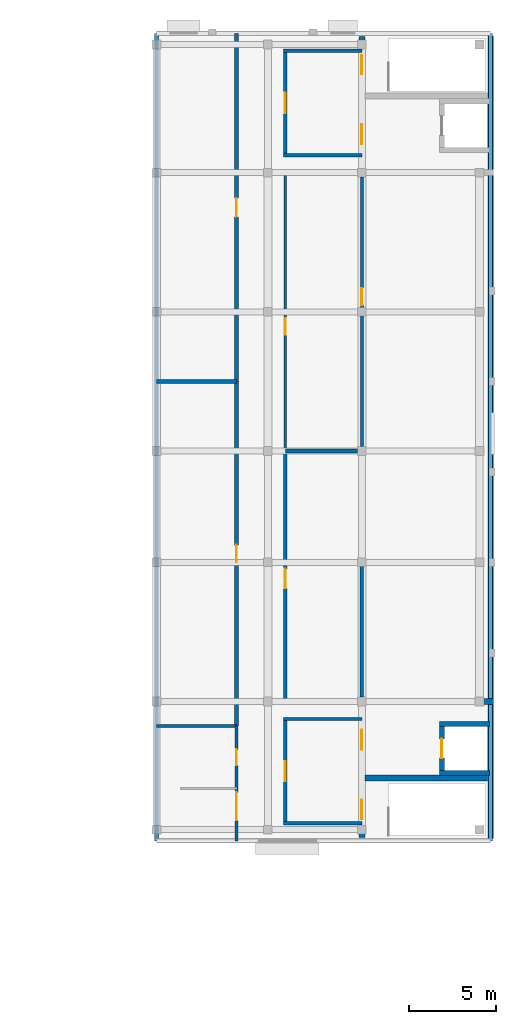
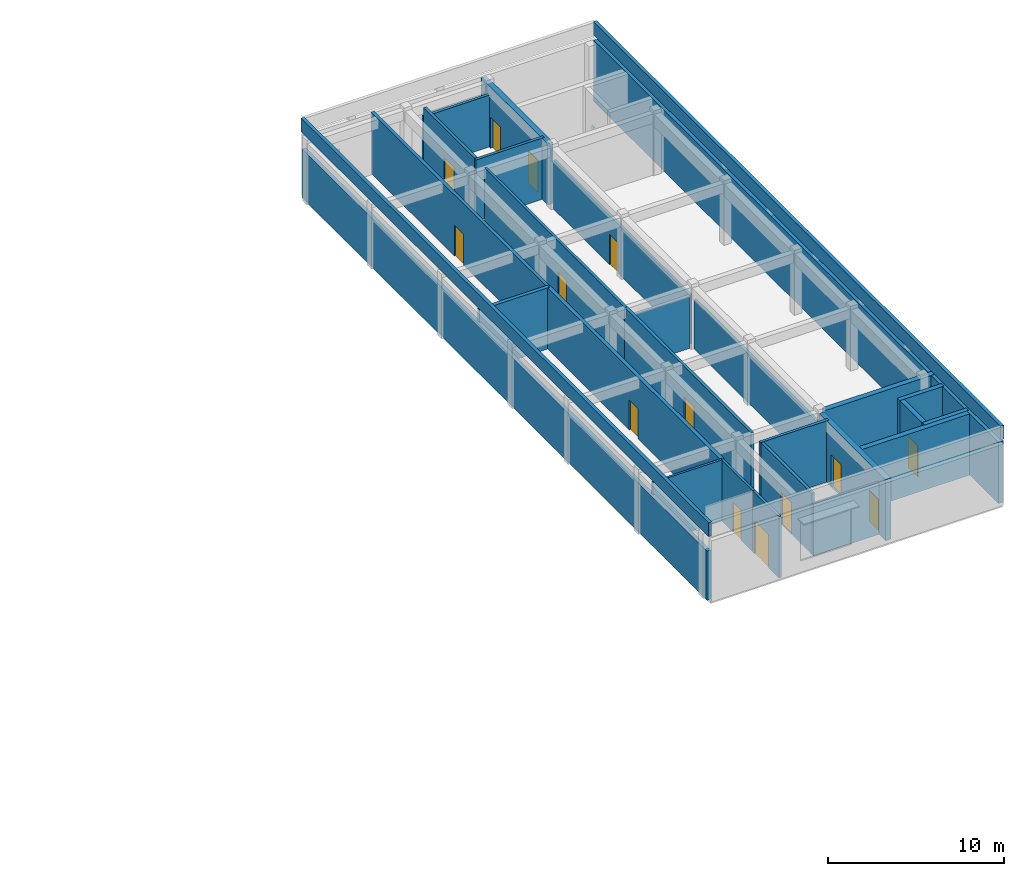
# One storey, part 3 of 5: 28 walls, 14 doors, 14 openings.
"""IFC4 building model written with IfcOpenShell, lengths in metres."""

from ifc_helpers import new_model, si_unit, direction, frame, frame_2d, origin, place, context, subcontext, project, spatial, rectangle, extrude, material, layer, layer_set, type_object, element, fill, save


model = new_model("IFC4")

# Units and contexts
model_context = context("Model", 3, precision=1e-05, world=origin(), true_north=direction((0.0, 1.0)))
body_context = subcontext(model_context, "Body", "Model", "MODEL_VIEW")
ifc_project = project(units=[si_unit("LENGTHUNIT", "METRE"), si_unit("AREAUNIT", "SQUARE_METRE"), si_unit("VOLUMEUNIT", "CUBIC_METRE"), si_unit("PLANEANGLEUNIT", "RADIAN"), si_unit("MASSUNIT", "GRAM", prefix="KILO")], contexts=[model_context])

# Site, building, storey
site_placement = place(None, origin())
site = spatial("IfcSite", under=ifc_project, at=site_placement, CompositionType="ELEMENT")
building_placement = place(site_placement, origin())
building = spatial("IfcBuilding", under=site, at=building_placement, Name="Cinchona Park Media Centre", CompositionType="ELEMENT")
storey_placement = place(building_placement, frame((0.0, 0.0, 29.39990234375)))
storey = spatial("IfcBuildingStorey", under=building, at=storey_placement, Name="L06", CompositionType="ELEMENT", Elevation=29.39990234375)

# Wall, opening, door
ifc_material_1 = material(Name="Acoustic Double-Stud Gypsum Partition", Category="gypsum")
ifc_layer_1 = layer(ifc_material_1, 0.2099609375)
ifc_layer_set_1 = layer_set([ifc_layer_1], Name="Acoustic Double-Stud Gypsum Partition")
wall_type_1 = type_object("IfcWallType", Name="WALL-W-AC210", PredefinedType="PARTITIONING", material=ifc_layer_set_1)
wall_1_placement = place(storey_placement, frame((157.39990234375, 98.0, 0.0), z_axis=(0.0, 0.0, 1.0), x_axis=(0.0, 1.0, 0.0)))
wall_1 = element("IfcWall", 1, at=wall_1_placement, inside=storey, type_object=wall_type_1, Name="Interior Wall W-AC210 L06", PredefinedType="PARTITIONING", context=body_context, shape_type="SweptSolid", body=[
    extrude(rectangle(XDim=20.0, YDim=0.2099609375, at=frame_2d((10.0, 0.0))), origin(), (0.0, 0.0, 1.0), 4.255126953125),
])
opening_1_placement = place(wall_1_placement, frame((9.4599609375, 0.0, 0.0)))
opening_1 = element("IfcOpeningElement", 2, at=opening_1_placement, cuts=wall_1, Name="Opening D368", PredefinedType="OPENING", context=body_context, shape_type="SweptSolid", body=[
    extrude(rectangle(XDim=1.080078125, YDim=2.14990234375, at=frame_2d((0.5400390625, 1.074951171875))), frame((0.0, 0.114990234375, 0.0), z_axis=(0.0, -1.0, 0.0), x_axis=(1.0, 0.0, 0.0)), (0.0, 0.0, 1.0), 0.22998046875),
])
ifc_material_2 = material(Name="Fire-Rated Acoustic Timber-Steel Door", Category="steel")
door_type_1 = type_object("IfcDoorType", Name="DOOR-DT07", OperationType="NOTDEFINED", PredefinedType="DOOR", material=ifc_material_2)
door_1_placement = place(opening_1_placement, origin())
door_1 = element("IfcDoor", 3, at=door_1_placement, inside=storey, type_object=door_type_1, Name="Interior Door D368", OperationType="SINGLE_SWING_RIGHT", OverallHeight=2.14990234375, OverallWidth=1.080078125, PredefinedType="DOOR", context=body_context, shape_type="SweptSolid", body=[
    extrude(rectangle(XDim=1.080078125, YDim=2.14990234375, at=frame_2d((0.5400390625, 1.074951171875))), frame((0.0, 0.02490234375, 0.0), z_axis=(0.0, -1.0, 0.0), x_axis=(1.0, 0.0, 0.0)), (0.0, 0.0, 1.0), 0.050048828125),
])
fill(opening_1, door_1)

# Wall
wall_2_placement = place(storey_placement, frame((160.199951171875, 94.0, 0.0), z_axis=(0.0, 0.0, 1.0), x_axis=(1.0, 0.0, 0.0)))
element("IfcWall", 4, at=wall_2_placement, inside=storey, type_object=wall_type_1, Name="Interior Wall W-AC210 L06", PredefinedType="PARTITIONING", context=body_context, shape_type="SweptSolid", body=[
    extrude(rectangle(XDim=4.14794921875, YDim=0.2099609375, at=frame_2d((2.073974609375, 0.0))), origin(), (0.0, 0.0, 1.0), 3.60498046875),
])

# Wall, opening, door
ifc_material_3 = material(Name="Acoustic Double-Stud Gypsum Partition", Category="gypsum")
ifc_layer_2 = layer(ifc_material_3, 0.239990234375)
ifc_layer_set_2 = layer_set([ifc_layer_2], Name="Acoustic Double-Stud Gypsum Partition")
wall_type_2 = type_object("IfcWallType", Name="WALL-W-AC240", PredefinedType="PARTITIONING", material=ifc_layer_set_2)
wall_3_placement = place(storey_placement, frame((157.39990234375, 78.199951171875, 0.0), z_axis=(0.0, 0.0, 1.0), x_axis=(0.0, 1.0, 0.0)))
wall_3 = element("IfcWall", 5, at=wall_3_placement, inside=storey, type_object=wall_type_2, Name="Interior Wall W-AC240 L06", PredefinedType="PARTITIONING", context=body_context, shape_type="SweptSolid", body=[
    extrude(rectangle(XDim=19.800048828125, YDim=0.239990234375, at=frame_2d((9.89990234375, 0.0))), origin(), (0.0, 0.0, 1.0), 4.255126953125),
])
opening_2_placement = place(wall_3_placement, frame((9.39990234375, 0.0, 0.0)))
opening_2 = element("IfcOpeningElement", 6, at=opening_2_placement, cuts=wall_3, Name="Opening D367", PredefinedType="OPENING", context=body_context, shape_type="SweptSolid", body=[
    extrude(rectangle(XDim=1.0, YDim=2.10009765625, at=frame_2d((0.5, 1.050048828125))), frame((0.0, 0.1298828125, 0.0), z_axis=(0.0, -1.0, 0.0), x_axis=(1.0, 0.0, 0.0)), (0.0, 0.0, 1.0), 0.260009765625),
])
ifc_material_4 = material(Name="Fire-Rated Acoustic Timber-Steel Door", Category="steel")
door_type_2 = type_object("IfcDoorType", Name="DOOR-DT04", OperationType="NOTDEFINED", PredefinedType="DOOR", material=ifc_material_4)
door_2_placement = place(opening_2_placement, origin())
door_2 = element("IfcDoor", 7, at=door_2_placement, inside=storey, type_object=door_type_2, Name="Interior Door D367", OperationType="SINGLE_SWING_LEFT", OverallHeight=2.10009765625, OverallWidth=1.0, PredefinedType="DOOR", context=body_context, shape_type="SweptSolid", body=[
    extrude(rectangle(XDim=1.0, YDim=2.10009765625, at=frame_2d((0.5, 1.050048828125))), frame((0.0, 0.02490234375, 0.0), z_axis=(0.0, -1.0, 0.0), x_axis=(1.0, 0.0, 0.0)), (0.0, 0.0, 1.0), 0.050048828125),
])
fill(opening_2, door_2)

# Walls
wall_4_placement = place(storey_placement, frame((152.800048828125, 98.0, 0.0), z_axis=(0.0, 0.0, 1.0), x_axis=(1.0, 0.0, 0.0)))
element("IfcWall", 8, at=wall_4_placement, inside=storey, type_object=wall_type_2, Name="Interior Wall W-AC240 L06", PredefinedType="PARTITIONING", context=body_context, shape_type="SweptSolid", body=[
    extrude(rectangle(XDim=4.599853515625, YDim=0.239990234375, at=frame_2d((2.2998046875, 0.0))), origin(), (0.0, 0.0, 1.0), 4.255126953125),
])
ifc_material_5 = material(Name="Concrete C40/50", Category="concrete")
ifc_layer_3 = layer(ifc_material_5, 0.35009765625)
ifc_layer_set_3 = layer_set([ifc_layer_3], Name="Concrete C40/50")
wall_type_3 = type_object("IfcWallType", Name="WALL-W-CR350", PredefinedType="SHEAR", material=ifc_layer_set_3)
wall_5_placement = place(storey_placement, frame((164.85205078125, 79.60009765625, 0.0), z_axis=(0.0, 0.0, 1.0), x_axis=(1.0, 0.0, 0.0)))
element("IfcWall", 9, at=wall_5_placement, inside=storey, type_object=wall_type_3, Name="Core Shear Wall W-CR350 L06", PredefinedType="SHEAR", context=body_context, shape_type="SweptSolid", body=[
    extrude(rectangle(XDim=7.322998046875, YDim=0.35009765625, at=frame_2d((3.66162109375, 0.0))), origin(), (0.0, 0.0, 1.0), 4.255126953125),
])

# Wall, openings, doors
wall_6_placement = place(storey_placement, frame((164.60009765625, 71.77490234375, 0.0), z_axis=(0.0, 0.0, 1.0), x_axis=(0.0, 1.0, 0.0)))
wall_6 = element("IfcWall", 10, at=wall_6_placement, inside=storey, type_object=wall_type_3, Name="Core Shear Wall W-CR350 L06", PredefinedType="SHEAR", context=body_context, shape_type="SweptSolid", body=[
    extrude(rectangle(XDim=7.572998046875, YDim=0.35009765625, at=frame_2d((3.78662109375, 0.0))), origin(), (0.0, 0.0, 1.0), 4.255126953125),
])
opening_3_placement = place(wall_6_placement, frame((1.074951171875, 0.0, 0.0)))
opening_3 = element("IfcOpeningElement", 11, at=opening_3_placement, cuts=wall_6, Name="Opening D124", PredefinedType="OPENING", context=body_context, shape_type="SweptSolid", body=[
    extrude(rectangle(XDim=1.10009765625, YDim=2.14990234375, at=frame_2d((0.550048828125, 1.074951171875))), frame((0.0, 0.18505859375, 0.0), z_axis=(0.0, -1.0, 0.0), x_axis=(1.0, 0.0, 0.0)), (0.0, 0.0, 1.0), 0.3701171875),
])
opening_4_placement = place(wall_6_placement, frame((5.050048828125, 0.0, 0.0)))
opening_4 = element("IfcOpeningElement", 12, at=opening_4_placement, cuts=wall_6, Name="Opening D125", PredefinedType="OPENING", context=body_context, shape_type="SweptSolid", body=[
    extrude(rectangle(XDim=1.14990234375, YDim=2.199951171875, at=frame_2d((0.574951171875, 1.10009765625))), frame((0.0, 0.18505859375, 0.0), z_axis=(0.0, -1.0, 0.0), x_axis=(1.0, 0.0, 0.0)), (0.0, 0.0, 1.0), 0.3701171875),
])
ifc_material_6 = material(Name="Insulated Fire-Rated Steel Door", Category="steel")
door_type_3 = type_object("IfcDoorType", Name="DOOR-DT-FF", OperationType="NOTDEFINED", PredefinedType="DOOR", material=ifc_material_6)
door_3_placement = place(opening_4_placement, origin())
door_3 = element("IfcDoor", 13, at=door_3_placement, inside=storey, type_object=door_type_3, Name="Interior Door D125", OperationType="SINGLE_SWING_LEFT", OverallHeight=2.199951171875, OverallWidth=1.14990234375, PredefinedType="DOOR", context=body_context, shape_type="SweptSolid", body=[
    extrude(rectangle(XDim=1.14990234375, YDim=2.199951171875, at=frame_2d((0.574951171875, 1.10009765625))), frame((0.0, 0.02490234375, 0.0), z_axis=(0.0, -1.0, 0.0), x_axis=(1.0, 0.0, 0.0)), (0.0, 0.0, 1.0), 0.050048828125),
])
fill(opening_4, door_3)
ifc_material_7 = material(Name="Insulated Fire-Rated Steel Door", Category="steel")
door_type_4 = type_object("IfcDoorType", Name="DOOR-DT-ST", OperationType="NOTDEFINED", PredefinedType="DOOR", material=ifc_material_7)
door_4_placement = place(opening_3_placement, origin())
door_4 = element("IfcDoor", 14, at=door_4_placement, inside=storey, type_object=door_type_4, Name="Interior Door D124", OperationType="SINGLE_SWING_RIGHT", OverallHeight=2.14990234375, OverallWidth=1.10009765625, PredefinedType="DOOR", context=body_context, shape_type="SweptSolid", body=[
    extrude(rectangle(XDim=1.10009765625, YDim=2.14990234375, at=frame_2d((0.550048828125, 1.074951171875))), frame((0.0, 0.02490234375, 0.0), z_axis=(0.0, -1.0, 0.0), x_axis=(1.0, 0.0, 0.0)), (0.0, 0.0, 1.0), 0.050048828125),
])
fill(opening_3, door_4)

# Wall
wall_7_placement = place(storey_placement, frame((164.77490234375, 75.199951171875, 0.0), z_axis=(0.0, 0.0, 1.0), x_axis=(1.0, 0.0, 0.0)))
element("IfcWall", 15, at=wall_7_placement, inside=storey, type_object=wall_type_3, Name="Core Shear Wall W-CR350 L06", PredefinedType="SHEAR", context=body_context, shape_type="SweptSolid", body=[
    extrude(rectangle(XDim=7.050048828125, YDim=0.35009765625, at=frame_2d((3.52490234375, 0.0))), origin(), (0.0, 0.0, 1.0), 4.255126953125),
])

# Wall, openings, doors
wall_8_placement = place(storey_placement, frame((164.60009765625, 110.251953125, 0.0), z_axis=(0.0, 0.0, 1.0), x_axis=(0.0, 1.0, 0.0)))
wall_8 = element("IfcWall", 16, at=wall_8_placement, inside=storey, type_object=wall_type_3, Name="Core Shear Wall W-CR350 L06", PredefinedType="SHEAR", context=body_context, shape_type="SweptSolid", body=[
    extrude(rectangle(XDim=7.572998046875, YDim=0.35009765625, at=frame_2d((3.78662109375, 0.0))), origin(), (0.0, 0.0, 1.0), 4.255126953125),
])
opening_5_placement = place(wall_8_placement, frame((5.39794921875, 0.0, 0.0)))
opening_5 = element("IfcOpeningElement", 17, at=opening_5_placement, cuts=wall_8, Name="Opening D127", PredefinedType="OPENING", context=body_context, shape_type="SweptSolid", body=[
    extrude(rectangle(XDim=1.10009765625, YDim=2.14990234375, at=frame_2d((0.550048828125, 1.074951171875))), frame((0.0, 0.18505859375, 0.0), z_axis=(0.0, -1.0, 0.0), x_axis=(1.0, 0.0, 0.0)), (0.0, 0.0, 1.0), 0.3701171875),
])
opening_6_placement = place(wall_8_placement, frame((1.373046875, 0.0, 0.0)))
opening_6 = element("IfcOpeningElement", 18, at=opening_6_placement, cuts=wall_8, Name="Opening D128", PredefinedType="OPENING", context=body_context, shape_type="SweptSolid", body=[
    extrude(rectangle(XDim=1.14990234375, YDim=2.199951171875, at=frame_2d((0.574951171875, 1.10009765625))), frame((0.0, 0.18505859375, 0.0), z_axis=(0.0, -1.0, 0.0), x_axis=(1.0, 0.0, 0.0)), (0.0, 0.0, 1.0), 0.3701171875),
])
door_5_placement = place(opening_6_placement, origin())
door_5 = element("IfcDoor", 19, at=door_5_placement, inside=storey, type_object=door_type_3, Name="Interior Door D128", OperationType="SINGLE_SWING_RIGHT", OverallHeight=2.199951171875, OverallWidth=1.14990234375, PredefinedType="DOOR", context=body_context, shape_type="SweptSolid", body=[
    extrude(rectangle(XDim=1.14990234375, YDim=2.199951171875, at=frame_2d((0.574951171875, 1.10009765625))), frame((0.0, 0.02490234375, 0.0), z_axis=(0.0, -1.0, 0.0), x_axis=(1.0, 0.0, 0.0)), (0.0, 0.0, 1.0), 0.050048828125),
])
fill(opening_6, door_5)
door_6_placement = place(opening_5_placement, origin())
door_6 = element("IfcDoor", 20, at=door_6_placement, inside=storey, type_object=door_type_4, Name="Interior Door D127", OperationType="SINGLE_SWING_LEFT", OverallHeight=2.14990234375, OverallWidth=1.10009765625, PredefinedType="DOOR", context=body_context, shape_type="SweptSolid", body=[
    extrude(rectangle(XDim=1.10009765625, YDim=2.14990234375, at=frame_2d((0.550048828125, 1.074951171875))), frame((0.0, 0.02490234375, 0.0), z_axis=(0.0, -1.0, 0.0), x_axis=(1.0, 0.0, 0.0)), (0.0, 0.0, 1.0), 0.050048828125),
])
fill(opening_5, door_6)

# Walls
ifc_material_8 = material(Name="Precast concrete C40/50", Category="concrete")
ifc_layer_4 = layer(ifc_material_8, 0.320068359375)
ifc_layer_set_4 = layer_set([ifc_layer_4], Name="Precast concrete C40/50")
wall_type_4 = type_object("IfcWallType", Name="WALL-W-EX02", PredefinedType="SOLIDWALL", material=ifc_layer_set_4)
wall_9_placement = place(storey_placement, frame((172.0, 117.860107421875, 0.0), z_axis=(0.0, 0.0, 1.0), x_axis=(0.0, -1.0, 0.0)))
element("IfcWall", 21, at=wall_9_placement, inside=storey, type_object=wall_type_4, Name="Exterior Wall W-EX02 V7 L06", PredefinedType="SOLIDWALL", context=body_context, shape_type="SweptSolid", body=[
    extrude(rectangle(XDim=46.1201171875, YDim=0.320068359375, at=frame_2d((23.06005859375, 0.0))), origin(), (0.0, 0.0, 1.0), 4.255126953125),
])
ifc_material_9 = material(Name="Precast concrete C40/50", Category="concrete")
ifc_layer_5 = layer(ifc_material_9, 0.25)
ifc_layer_set_5 = layer_set([ifc_layer_5], Name="Precast concrete C40/50")
wall_type_5 = type_object("IfcWallType", Name="WALL-W-EX04", PredefinedType="SOLIDWALL", material=ifc_layer_set_5)
wall_10_placement = place(storey_placement, frame((152.800048828125, 71.739990234375, 0.0), z_axis=(0.0, 0.0, 1.0), x_axis=(0.0, 1.0, 0.0)))
element("IfcWall", 22, at=wall_10_placement, inside=storey, type_object=wall_type_5, Name="Exterior Wall W-EX04 V7 L06", PredefinedType="SOLIDWALL", context=body_context, shape_type="SweptSolid", body=[
    extrude(rectangle(XDim=46.1201171875, YDim=0.25, at=frame_2d((23.06005859375, 0.0))), origin(), (0.0, 0.0, 1.0), 3.405029296875),
])
ifc_material_10 = material(Name="Precast concrete C40/50", Category="concrete")
ifc_layer_6 = layer(ifc_material_10, 0.219970703125)
ifc_layer_set_6 = layer_set([ifc_layer_6], Name="Precast concrete C40/50")
wall_type_6 = type_object("IfcWallType", Name="WALL-W-PR01", PredefinedType="PARAPET", material=ifc_layer_set_6)
for number, where, z_axis, x_axis, name in (
    (23, (172.0, 118.0, 4.5), (0.0, 0.0, 1.0), (0.0, -1.0, 0.0), "Roof Parapet Wall W-PR01 L06"),
    (24, (152.800048828125, 71.60009765625, 4.5), (0.0, 0.0, 1.0), (0.0, 1.0, 0.0), "Roof Parapet Wall W-PR01 L06"),
):
    element("IfcWall", number, at=place(storey_placement, frame(where, z_axis=z_axis, x_axis=x_axis)), inside=storey, type_object=wall_type_6, Name=name, PredefinedType="PARAPET", context=body_context, shape_type="SweptSolid", body=[
        extrude(rectangle(XDim=46.39990234375, YDim=0.219970703125, at=frame_2d((23.199951171875, 0.0))), origin(), (0.0, 0.0, 1.0), 0.9501953125),
    ])

# Wall, opening, door
ifc_material_11 = material(Name="Fire-Rated Gypsum Stud Partition", Category="gypsum")
ifc_layer_7 = layer(ifc_material_11, 0.14990234375)
ifc_layer_set_7 = layer_set([ifc_layer_7], Name="Fire-Rated Gypsum Stud Partition")
wall_type_7 = type_object("IfcWallType", Name="WALL-W-PT150", PredefinedType="PARTITIONING", material=ifc_layer_set_7)
wall_11_placement = place(storey_placement, frame((157.39990234375, 74.60009765625, 0.0), z_axis=(0.0, 0.0, 1.0), x_axis=(0.0, 1.0, 0.0)))
wall_11 = element("IfcWall", 25, at=wall_11_placement, inside=storey, type_object=wall_type_7, Name="Interior Wall W-PT150 L06", PredefinedType="PARTITIONING", context=body_context, shape_type="SweptSolid", body=[
    extrude(rectangle(XDim=3.599853515625, YDim=0.14990234375, at=frame_2d((1.7998046875, 0.0))), origin(), (0.0, 0.0, 1.0), 4.255126953125),
])
opening_7_placement = place(wall_11_placement, frame((1.340087890625, 0.0, 0.0)))
opening_7 = element("IfcOpeningElement", 26, at=opening_7_placement, cuts=wall_11, Name="Opening D366", PredefinedType="OPENING", context=body_context, shape_type="SweptSolid", body=[
    extrude(rectangle(XDim=0.919921875, YDim=2.10009765625, at=frame_2d((0.4599609375, 1.050048828125))), frame((0.0, 0.0849609375, 0.0), z_axis=(0.0, -1.0, 0.0), x_axis=(1.0, 0.0, 0.0)), (0.0, 0.0, 1.0), 0.169921875),
])
ifc_material_12 = material(Name="Solid-Core Timber Acoustic Door", Category="wood")
door_type_5 = type_object("IfcDoorType", Name="DOOR-DT01", OperationType="NOTDEFINED", PredefinedType="DOOR", material=ifc_material_12)
door_7_placement = place(opening_7_placement, origin())
door_7 = element("IfcDoor", 27, at=door_7_placement, inside=storey, type_object=door_type_5, Name="Interior Door D366", OperationType="SINGLE_SWING_RIGHT", OverallHeight=2.10009765625, OverallWidth=0.919921875, PredefinedType="DOOR", context=body_context, shape_type="SweptSolid", body=[
    extrude(rectangle(XDim=0.919921875, YDim=2.10009765625, at=frame_2d((0.4599609375, 1.050048828125))), frame((0.0, 0.02490234375, 0.0), z_axis=(0.0, -1.0, 0.0), x_axis=(1.0, 0.0, 0.0)), (0.0, 0.0, 1.0), 0.050048828125),
])
fill(opening_7, door_7)

# Wall
wall_12_placement = place(storey_placement, frame((152.800048828125, 78.199951171875, 0.0), z_axis=(0.0, 0.0, 1.0), x_axis=(1.0, 0.0, 0.0)))
element("IfcWall", 28, at=wall_12_placement, inside=storey, type_object=wall_type_7, Name="Interior Wall W-PT150 L06", PredefinedType="PARTITIONING", context=body_context, shape_type="SweptSolid", body=[
    extrude(rectangle(XDim=4.599853515625, YDim=0.14990234375, at=frame_2d((2.2998046875, 0.0))), origin(), (0.0, 0.0, 1.0), 4.255126953125),
])

# Wall, opening, door
ifc_material_13 = material(Name="Fire-Rated Gypsum Stud Partition", Category="gypsum")
ifc_layer_8 = layer(ifc_material_13, 0.1650390625)
ifc_layer_set_8 = layer_set([ifc_layer_8], Name="Fire-Rated Gypsum Stud Partition")
wall_type_8 = type_object("IfcWallType", Name="WALL-W-PT165", PredefinedType="PARTITIONING", material=ifc_layer_set_8)
wall_13_placement = place(storey_placement, frame((157.39990234375, 71.60009765625, 0.0), z_axis=(0.0, 0.0, 1.0), x_axis=(0.0, 1.0, 0.0)))
wall_13 = element("IfcWall", 29, at=wall_13_placement, inside=storey, type_object=wall_type_8, Name="Interior Wall W-PT165 L06", PredefinedType="PARTITIONING", context=body_context, shape_type="SweptSolid", body=[
    extrude(rectangle(XDim=3.0, YDim=0.1650390625, at=frame_2d((1.5, 0.0))), origin(), (0.0, 0.0, 1.0), 4.255126953125),
])
opening_8_placement = place(wall_13_placement, frame((1.179931640625, 0.0, 0.0)))
opening_8 = element("IfcOpeningElement", 30, at=opening_8_placement, cuts=wall_13, Name="Opening D365", PredefinedType="OPENING", context=body_context, shape_type="SweptSolid", body=[
    extrude(rectangle(XDim=1.60009765625, YDim=2.300048828125, at=frame_2d((0.800048828125, 1.14990234375))), frame((0.0, 0.092529296875, 0.0), z_axis=(0.0, -1.0, 0.0), x_axis=(1.0, 0.0, 0.0)), (0.0, 0.0, 1.0), 0.18505859375),
])
ifc_material_14 = material(Name="Solid-Core Timber Acoustic Door", Category="wood")
door_type_6 = type_object("IfcDoorType", Name="DOOR-DT17", OperationType="NOTDEFINED", PredefinedType="DOOR", material=ifc_material_14)
door_8_placement = place(opening_8_placement, origin())
door_8 = element("IfcDoor", 31, at=door_8_placement, inside=storey, type_object=door_type_6, Name="Interior Door D365", OperationType="SINGLE_SWING_LEFT", OverallHeight=2.300048828125, OverallWidth=1.60009765625, PredefinedType="DOOR", context=body_context, shape_type="SweptSolid", body=[
    extrude(rectangle(XDim=1.60009765625, YDim=2.300048828125, at=frame_2d((0.800048828125, 1.14990234375))), frame((0.0, 0.02490234375, 0.0), z_axis=(0.0, -1.0, 0.0), x_axis=(1.0, 0.0, 0.0)), (0.0, 0.0, 1.0), 0.050048828125),
])
fill(opening_8, door_8)

wall_14_placement = place(storey_placement, frame((160.199951171875, 110.0, 0.0), z_axis=(0.0, 0.0, 1.0), x_axis=(0.0, -1.0, 0.0)))
wall_14 = element("IfcWall", 32, at=wall_14_placement, inside=storey, type_object=wall_type_8, Name="Interior Wall W-PT165 L06", PredefinedType="PARTITIONING", context=body_context, shape_type="SweptSolid", body=[
    extrude(rectangle(XDim=16.0, YDim=0.1650390625, at=frame_2d((8.0, 0.0))), origin(), (0.0, 0.0, 1.0), 4.255126953125),
])
opening_9_placement = place(wall_14_placement, frame((8.3798828125, 0.0, 0.0)))
opening_9 = element("IfcOpeningElement", 33, at=opening_9_placement, cuts=wall_14, Name="Opening D370", PredefinedType="OPENING", context=body_context, shape_type="SweptSolid", body=[
    extrude(rectangle(XDim=0.949951171875, YDim=2.10009765625, at=frame_2d((0.47509765625, 1.050048828125))), frame((0.0, 0.092529296875, 0.0), z_axis=(0.0, -1.0, 0.0), x_axis=(1.0, 0.0, 0.0)), (0.0, 0.0, 1.0), 0.18505859375),
])
ifc_material_15 = material(Name="Solid-Core Timber Acoustic Door", Category="wood")
door_type_7 = type_object("IfcDoorType", Name="DOOR-DT02", OperationType="NOTDEFINED", PredefinedType="DOOR", material=ifc_material_15)
door_9_placement = place(opening_9_placement, origin())
door_9 = element("IfcDoor", 34, at=door_9_placement, inside=storey, type_object=door_type_7, Name="Interior Door D370", OperationType="SINGLE_SWING_RIGHT", OverallHeight=2.10009765625, OverallWidth=0.949951171875, PredefinedType="DOOR", context=body_context, shape_type="SweptSolid", body=[
    extrude(rectangle(XDim=0.949951171875, YDim=2.10009765625, at=frame_2d((0.47509765625, 1.050048828125))), frame((0.0, 0.02490234375, 0.0), z_axis=(0.0, -1.0, 0.0), x_axis=(1.0, 0.0, 0.0)), (0.0, 0.0, 1.0), 0.050048828125),
])
fill(opening_9, door_9)

wall_15_placement = place(storey_placement, frame((164.60009765625, 109.748046875, 0.0), z_axis=(0.0, 0.0, 1.0), x_axis=(0.0, -1.0, 0.0)))
wall_15 = element("IfcWall", 35, at=wall_15_placement, inside=storey, type_object=wall_type_8, Name="Interior Wall W-PT165 L06", PredefinedType="PARTITIONING", context=body_context, shape_type="SweptSolid", body=[
    extrude(rectangle(XDim=15.49609375, YDim=0.1650390625, at=frame_2d((7.748046875, 0.0))), origin(), (0.0, 0.0, 1.0), 3.405029296875),
])
opening_10_placement = place(wall_15_placement, frame((6.3798828125, 0.0, 0.0)))
opening_10 = element("IfcOpeningElement", 36, at=opening_10_placement, cuts=wall_15, Name="Opening D371", PredefinedType="OPENING", context=body_context, shape_type="SweptSolid", body=[
    extrude(rectangle(XDim=0.97998046875, YDim=2.10009765625, at=frame_2d((0.489990234375, 1.050048828125))), frame((0.0, 0.092529296875, 0.0), z_axis=(0.0, -1.0, 0.0), x_axis=(1.0, 0.0, 0.0)), (0.0, 0.0, 1.0), 0.18505859375),
])
ifc_material_16 = material(Name="Fire-Rated Acoustic Timber-Steel Door", Category="steel")
door_type_8 = type_object("IfcDoorType", Name="DOOR-DT03", OperationType="NOTDEFINED", PredefinedType="DOOR", material=ifc_material_16)
door_10_placement = place(opening_10_placement, origin())
door_10 = element("IfcDoor", 37, at=door_10_placement, inside=storey, type_object=door_type_8, Name="Interior Door D371", OperationType="SINGLE_SWING_LEFT", OverallHeight=2.10009765625, OverallWidth=0.97998046875, PredefinedType="DOOR", context=body_context, shape_type="SweptSolid", body=[
    extrude(rectangle(XDim=0.97998046875, YDim=2.10009765625, at=frame_2d((0.489990234375, 1.050048828125))), frame((0.0, 0.02490234375, 0.0), z_axis=(0.0, -1.0, 0.0), x_axis=(1.0, 0.0, 0.0)), (0.0, 0.0, 1.0), 0.050048828125),
])
fill(opening_10, door_10)

# Walls
ifc_material_17 = material(Name="Fire-Rated Gypsum Stud Partition", Category="gypsum")
ifc_layer_9 = layer(ifc_material_17, 0.18994140625)
ifc_layer_set_9 = layer_set([ifc_layer_9], Name="Fire-Rated Gypsum Stud Partition")
wall_type_9 = type_object("IfcWallType", Name="WALL-W-PT190", PredefinedType="PARTITIONING", material=ifc_layer_set_9)
wall_16_placement = place(storey_placement, frame((160.10498046875, 72.60009765625, 0.0), z_axis=(0.0, 0.0, 1.0), x_axis=(1.0, 0.0, 0.0)))
element("IfcWall", 38, at=wall_16_placement, inside=storey, type_object=wall_type_9, Name="Interior Wall W-PT190 L06", PredefinedType="PARTITIONING", context=body_context, shape_type="SweptSolid", body=[
    extrude(rectangle(XDim=4.4951171875, YDim=0.18994140625, at=frame_2d((2.24755859375, 0.0))), origin(), (0.0, 0.0, 1.0), 3.60498046875),
])
wall_17_placement = place(storey_placement, frame((160.10498046875, 78.60009765625, 0.0), z_axis=(0.0, 0.0, 1.0), x_axis=(1.0, 0.0, 0.0)))
element("IfcWall", 39, at=wall_17_placement, inside=storey, type_object=wall_type_9, Name="Interior Wall W-PT190 L06", PredefinedType="PARTITIONING", context=body_context, shape_type="SweptSolid", body=[
    extrude(rectangle(XDim=4.4951171875, YDim=0.18994140625, at=frame_2d((2.24755859375, 0.0))), origin(), (0.0, 0.0, 1.0), 4.255126953125),
])

# Wall, opening, door
wall_18_placement = place(storey_placement, frame((160.199951171875, 72.695068359375, 0.0), z_axis=(0.0, 0.0, 1.0), x_axis=(0.0, 1.0, 0.0)))
wall_18 = element("IfcWall", 40, at=wall_18_placement, inside=storey, type_object=wall_type_9, Name="Interior Wall W-PT190 L06", PredefinedType="PARTITIONING", context=body_context, shape_type="SweptSolid", body=[
    extrude(rectangle(XDim=5.809814453125, YDim=0.18994140625, at=frame_2d((2.90478515625, 0.0))), origin(), (0.0, 0.0, 1.0), 4.255126953125),
])
opening_11_placement = place(wall_18_placement, frame((2.330078125, 0.0, 0.0)))
opening_11 = element("IfcOpeningElement", 41, at=opening_11_placement, cuts=wall_18, Name="Opening D126", PredefinedType="OPENING", context=body_context, shape_type="SweptSolid", body=[
    extrude(rectangle(XDim=1.14990234375, YDim=2.199951171875, at=frame_2d((0.574951171875, 1.10009765625))), frame((0.0, 0.10498046875, 0.0), z_axis=(0.0, -1.0, 0.0), x_axis=(1.0, 0.0, 0.0)), (0.0, 0.0, 1.0), 0.2099609375),
])
door_11_placement = place(opening_11_placement, origin())
door_11 = element("IfcDoor", 42, at=door_11_placement, inside=storey, type_object=door_type_3, Name="Interior Door D126", OperationType="SINGLE_SWING_RIGHT", OverallHeight=2.199951171875, OverallWidth=1.14990234375, PredefinedType="DOOR", context=body_context, shape_type="SweptSolid", body=[
    extrude(rectangle(XDim=1.14990234375, YDim=2.199951171875, at=frame_2d((0.574951171875, 1.10009765625))), frame((0.0, 0.02490234375, 0.0), z_axis=(0.0, -1.0, 0.0), x_axis=(1.0, 0.0, 0.0)), (0.0, 0.0, 1.0), 0.050048828125),
])
fill(opening_11, door_11)

# Walls
wall_19_placement = place(storey_placement, frame((160.10498046875, 111.0, 0.0), z_axis=(0.0, 0.0, 1.0), x_axis=(1.0, 0.0, 0.0)))
element("IfcWall", 43, at=wall_19_placement, inside=storey, type_object=wall_type_9, Name="Interior Wall W-PT190 L06", PredefinedType="PARTITIONING", context=body_context, shape_type="SweptSolid", body=[
    extrude(rectangle(XDim=4.4951171875, YDim=0.18994140625, at=frame_2d((2.24755859375, 0.0))), origin(), (0.0, 0.0, 1.0), 4.255126953125),
])
wall_20_placement = place(storey_placement, frame((160.10498046875, 117.0, 0.0), z_axis=(0.0, 0.0, 1.0), x_axis=(1.0, 0.0, 0.0)))
element("IfcWall", 44, at=wall_20_placement, inside=storey, type_object=wall_type_9, Name="Interior Wall W-PT190 L06", PredefinedType="PARTITIONING", context=body_context, shape_type="SweptSolid", body=[
    extrude(rectangle(XDim=4.4951171875, YDim=0.18994140625, at=frame_2d((2.24755859375, 0.0))), origin(), (0.0, 0.0, 1.0), 3.60498046875),
])

# Wall, opening, door
wall_21_placement = place(storey_placement, frame((160.199951171875, 111.094970703125, 0.0), z_axis=(0.0, 0.0, 1.0), x_axis=(0.0, 1.0, 0.0)))
wall_21 = element("IfcWall", 45, at=wall_21_placement, inside=storey, type_object=wall_type_9, Name="Interior Wall W-PT190 L06", PredefinedType="PARTITIONING", context=body_context, shape_type="SweptSolid", body=[
    extrude(rectangle(XDim=5.81005859375, YDim=0.18994140625, at=frame_2d((2.905029296875, 0.0))), origin(), (0.0, 0.0, 1.0), 4.255126953125),
])
opening_12_placement = place(wall_21_placement, frame((2.330078125, 0.0, 0.0)))
opening_12 = element("IfcOpeningElement", 46, at=opening_12_placement, cuts=wall_21, Name="Opening D129", PredefinedType="OPENING", context=body_context, shape_type="SweptSolid", body=[
    extrude(rectangle(XDim=1.14990234375, YDim=2.199951171875, at=frame_2d((0.574951171875, 1.10009765625))), frame((0.0, 0.10498046875, 0.0), z_axis=(0.0, -1.0, 0.0), x_axis=(1.0, 0.0, 0.0)), (0.0, 0.0, 1.0), 0.2099609375),
])
door_12_placement = place(opening_12_placement, origin())
door_12 = element("IfcDoor", 47, at=door_12_placement, inside=storey, type_object=door_type_3, Name="Interior Door D129", OperationType="SINGLE_SWING_LEFT", OverallHeight=2.199951171875, OverallWidth=1.14990234375, PredefinedType="DOOR", context=body_context, shape_type="SweptSolid", body=[
    extrude(rectangle(XDim=1.14990234375, YDim=2.199951171875, at=frame_2d((0.574951171875, 1.10009765625))), frame((0.0, 0.02490234375, 0.0), z_axis=(0.0, -1.0, 0.0), x_axis=(1.0, 0.0, 0.0)), (0.0, 0.0, 1.0), 0.050048828125),
])
fill(opening_12, door_12)

wall_22_placement = place(storey_placement, frame((160.199951171875, 94.0, 0.0), z_axis=(0.0, 0.0, 1.0), x_axis=(0.0, -1.0, 0.0)))
wall_22 = element("IfcWall", 48, at=wall_22_placement, inside=storey, type_object=wall_type_9, Name="Interior Wall W-PT190 L06", PredefinedType="PARTITIONING", context=body_context, shape_type="SweptSolid", body=[
    extrude(rectangle(XDim=14.39990234375, YDim=0.18994140625, at=frame_2d((7.199951171875, 0.0))), origin(), (0.0, 0.0, 1.0), 4.255126953125),
])
opening_13_placement = place(wall_22_placement, frame((6.780029296875, 0.0, 0.0)))
opening_13 = element("IfcOpeningElement", 49, at=opening_13_placement, cuts=wall_22, Name="Opening D369", PredefinedType="OPENING", context=body_context, shape_type="SweptSolid", body=[
    extrude(rectangle(XDim=1.1201171875, YDim=2.14990234375, at=frame_2d((0.56005859375, 1.074951171875))), frame((0.0, 0.10498046875, 0.0), z_axis=(0.0, -1.0, 0.0), x_axis=(1.0, 0.0, 0.0)), (0.0, 0.0, 1.0), 0.2099609375),
])
ifc_material_18 = material(Name="Fire-Rated Acoustic Timber-Steel Door", Category="steel")
door_type_9 = type_object("IfcDoorType", Name="DOOR-DT08", OperationType="NOTDEFINED", PredefinedType="DOOR", material=ifc_material_18)
door_13_placement = place(opening_13_placement, origin())
door_13 = element("IfcDoor", 50, at=door_13_placement, inside=storey, type_object=door_type_9, Name="Interior Door D369", OperationType="SINGLE_SWING_LEFT", OverallHeight=2.14990234375, OverallWidth=1.1201171875, PredefinedType="DOOR", context=body_context, shape_type="SweptSolid", body=[
    extrude(rectangle(XDim=1.1201171875, YDim=2.14990234375, at=frame_2d((0.56005859375, 1.074951171875))), frame((0.0, 0.02490234375, 0.0), z_axis=(0.0, -1.0, 0.0), x_axis=(1.0, 0.0, 0.0)), (0.0, 0.0, 1.0), 0.050048828125),
])
fill(opening_13, door_13)

# Walls
wall_23_placement = place(storey_placement, frame((164.60009765625, 93.748046875, 0.0), z_axis=(0.0, 0.0, 1.0), x_axis=(0.0, -1.0, 0.0)))
element("IfcWall", 51, at=wall_23_placement, inside=storey, type_object=wall_type_9, Name="Interior Wall W-PT190 L06", PredefinedType="PARTITIONING", context=body_context, shape_type="SweptSolid", body=[
    extrude(rectangle(XDim=13.89599609375, YDim=0.18994140625, at=frame_2d((6.947998046875, 0.0))), origin(), (0.0, 0.0, 1.0), 3.405029296875),
])
ifc_material_19 = material(Name="Concrete C40/50", Category="concrete")
ifc_layer_10 = layer(ifc_material_19, 0.2900390625)
ifc_layer_set_10 = layer_set([ifc_layer_10], Name="Concrete C40/50")
wall_type_10 = type_object("IfcWallType", Name="WALL-W-SH290", PredefinedType="SHEAR", material=ifc_layer_set_10)
for number, where, z_axis, x_axis, name in (
    (52, (169.054931640625, 75.5, 0.0), (0.0, 0.0, 1.0), (1.0, 0.0, 0.0), "Core Shear Wall W-SH290 L06"),
    (53, (169.054931640625, 78.300048828125, 0.0), (0.0, 0.0, 1.0), (1.0, 0.0, 0.0), "Core Shear Wall W-SH290 L06"),
):
    element("IfcWall", number, at=place(storey_placement, frame(where, z_axis=z_axis, x_axis=x_axis)), inside=storey, type_object=wall_type_10, Name=name, PredefinedType="SHEAR", context=body_context, shape_type="SweptSolid", body=[
        extrude(rectangle(XDim=2.89013671875, YDim=0.2900390625, at=frame_2d((1.445068359375, 0.0))), origin(), (0.0, 0.0, 1.0), 4.255126953125),
    ])

# Wall, opening, door
wall_24_placement = place(storey_placement, frame((169.199951171875, 75.64501953125, 0.0), z_axis=(0.0, 0.0, 1.0), x_axis=(0.0, 1.0, 0.0)))
wall_24 = element("IfcWall", 54, at=wall_24_placement, inside=storey, type_object=wall_type_10, Name="Core Shear Wall W-SH290 L06", PredefinedType="SHEAR", context=body_context, shape_type="SweptSolid", body=[
    extrude(rectangle(XDim=2.510009765625, YDim=0.2900390625, at=frame_2d((1.2548828125, 0.0))), origin(), (0.0, 0.0, 1.0), 4.255126953125),
])
opening_14_placement = place(wall_24_placement, frame((0.705078125, 0.0, 0.0)))
opening_14 = element("IfcOpeningElement", 55, at=opening_14_placement, cuts=wall_24, Name="Opening LD43", PredefinedType="OPENING", context=body_context, shape_type="SweptSolid", body=[
    extrude(rectangle(XDim=1.10009765625, YDim=2.14990234375, at=frame_2d((0.550048828125, 1.074951171875))), frame((0.0, 0.155029296875, 0.0), z_axis=(0.0, -1.0, 0.0), x_axis=(1.0, 0.0, 0.0)), (0.0, 0.0, 1.0), 0.31005859375),
])
ifc_material_20 = material(Name="Stainless Steel Sliding Lift Landing Door", Category="steel")
door_type_10 = type_object("IfcDoorType", Name="DOOR-DT-LD1", OperationType="NOTDEFINED", PredefinedType="DOOR", material=ifc_material_20)
door_14_placement = place(opening_14_placement, origin())
door_14 = element("IfcDoor", 56, at=door_14_placement, inside=storey, type_object=door_type_10, Name="Lift Landing Door LD43", OperationType="SLIDING_TO_LEFT", OverallHeight=2.14990234375, OverallWidth=1.10009765625, PredefinedType="DOOR", context=body_context, shape_type="SweptSolid", body=[
    extrude(rectangle(XDim=1.10009765625, YDim=2.14990234375, at=frame_2d((0.550048828125, 1.074951171875))), frame((0.0, 0.02490234375, 0.0), z_axis=(0.0, -1.0, 0.0), x_axis=(1.0, 0.0, 0.0)), (0.0, 0.0, 1.0), 0.050048828125),
])
fill(opening_14, door_14)

save(model, "model.ifc")
